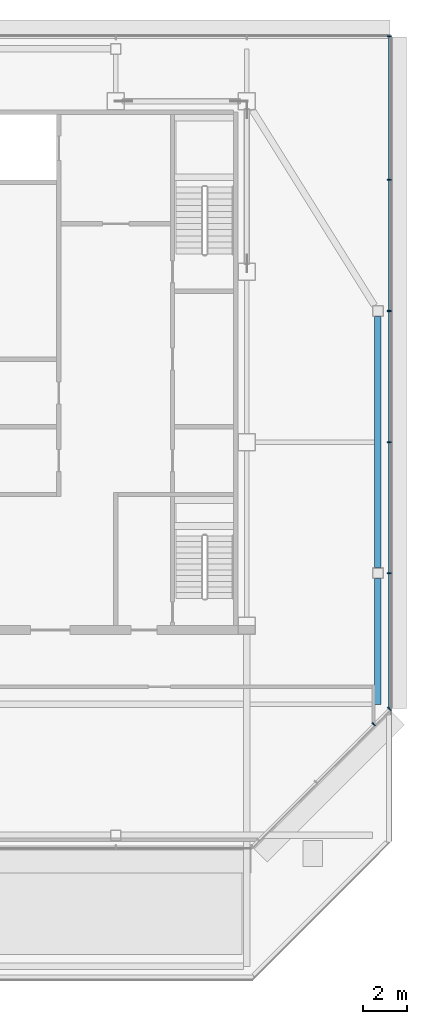
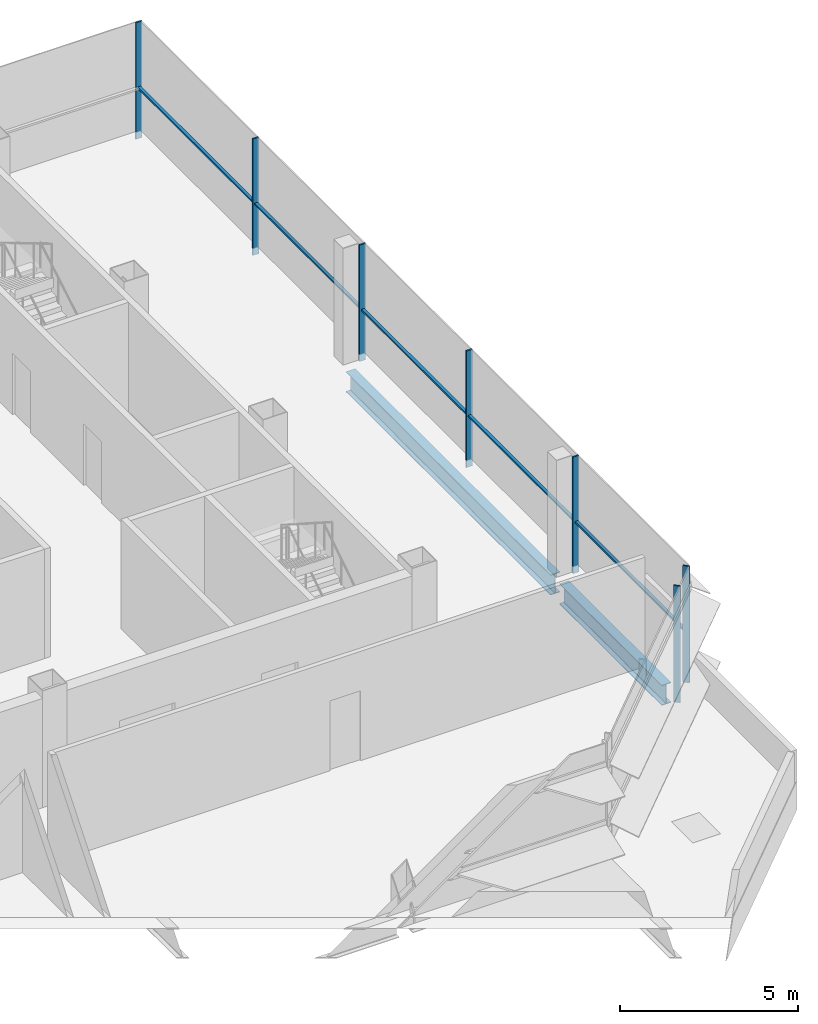
# One storey, part 14 of 26: 8 members, 2 beams, 2 elements without a shape of their own.
"""IFC4 building model written with IfcOpenShell, lengths in metres."""

from ifc_helpers import new_model, si_unit, direction, frame, origin, origin_2d, place, context, subcontext, project, spatial, rectangle, i_section, extrude, material, material_profile, profile_set, type_object, element, aggregate, save


model = new_model("IFC4")

# Units and contexts
model_context = context("Model", 3, precision=1e-05, world=origin(), true_north=direction((0.0, 1.0)))
body_context = subcontext(model_context, "Body", "Model", "MODEL_VIEW")
ifc_project = project(units=[si_unit("LENGTHUNIT", "METRE"), si_unit("AREAUNIT", "SQUARE_METRE"), si_unit("VOLUMEUNIT", "CUBIC_METRE"), si_unit("PLANEANGLEUNIT", "RADIAN"), si_unit("MASSUNIT", "GRAM", prefix="KILO")], contexts=[model_context])

# Site, building, storey
site_placement = place(None, origin())
site = spatial("IfcSite", under=ifc_project, at=site_placement, CompositionType="ELEMENT")
building_placement = place(site_placement, origin())
building = spatial("IfcBuilding", under=site, at=building_placement, Name="Sorahane Residences", CompositionType="ELEMENT")
storey_placement = place(building_placement, frame((0.0, 0.0, 337.800048828125)))
storey = spatial("IfcBuildingStorey", under=building, at=storey_placement, Name="L80", CompositionType="ELEMENT", Elevation=337.800048828125)

# Curtain wall, members
ifc_material_1 = material(Name="Dark low-e glass and black anodised aluminium", Category="aluminium")
curtain_wall_type = type_object("IfcCurtainWallType", Name="Curtain wall CW-6 Crown unitised wall", PredefinedType="NOTDEFINED", material=ifc_material_1)
curtain_wall_1_placement = place(storey_placement, origin())
curtain_wall_1 = element("IfcCurtainWall", 1, at=curtain_wall_1_placement, inside=storey, type_object=curtain_wall_type, Name="CW-6 curtain wall L80 SE1", PredefinedType="NOTDEFINED")
ifc_material_2 = material(Name="Black anodised aluminium", Category="aluminium")
ifc_material_profile_1 = material_profile(ifc_material_2, rectangle(XDim=0.199951171875, YDim=0.050048828125, at=origin_2d()), Name="Curtain wall mullion CW-6 black anodised aluminium 50x200")
ifc_profile_set_1 = profile_set([ifc_material_profile_1], Name="Black anodised aluminium")
member_type_1 = type_object("IfcMemberType", Name="Curtain wall mullion CW-6 black anodised aluminium 50x200", PredefinedType="MULLION", material=ifc_profile_set_1)
member_1_placement = place(storey_placement, frame((47.814208984375, 17.078857421875, -0.25), z_axis=(0.0, 0.0, 1.0), x_axis=(0.707106781187, -0.707106781187, 0.0)))
member_1 = element("IfcMember", 2, at=member_1_placement, type_object=member_type_1, Name="CW-6 mullion L80 SE1.4", PredefinedType="MULLION", context=body_context, shape_type="SweptSolid", body=[
    extrude(rectangle(XDim=0.199951171875, YDim=0.050048828125, at=origin_2d()), origin(), (0.0, 0.0, 1.0), 4.0),
])
member_2_placement = place(storey_placement, frame((48.525634765625, 17.790283203125, -0.25), z_axis=(0.0, 0.0, 1.0), x_axis=(0.707106781187, -0.707106781187, 0.0)))
member_2 = element("IfcMember", 3, at=member_2_placement, type_object=member_type_1, Name="CW-6 mullion L80 SE1.5", PredefinedType="MULLION", context=body_context, shape_type="SweptSolid", body=[
    extrude(rectangle(XDim=0.199951171875, YDim=0.050048828125, at=origin_2d()), origin(), (0.0, 0.0, 1.0), 4.0),
])
aggregate(curtain_wall_1, [member_1, member_2])

curtain_wall_2_placement = place(storey_placement, origin())
curtain_wall_2 = element("IfcCurtainWall", 4, at=curtain_wall_2_placement, inside=storey, type_object=curtain_wall_type, Name="CW-6 curtain wall L80 E1", PredefinedType="NOTDEFINED")
member_3_placement = place(storey_placement, frame((48.52001953125, 24.0, -0.25), z_axis=(0.0, 0.0, 1.0), x_axis=(1.0, 0.0, 0.0)))
member_3 = element("IfcMember", 5, at=member_3_placement, type_object=member_type_1, Name="CW-6 mullion L80 E1.2", PredefinedType="MULLION", context=body_context, shape_type="SweptSolid", body=[
    extrude(rectangle(XDim=0.199951171875, YDim=0.050048828125, at=origin_2d()), origin(), (0.0, 0.0, 1.0), 4.0),
])
member_4_placement = place(storey_placement, frame((48.52001953125, 30.0, -0.25), z_axis=(0.0, 0.0, 1.0), x_axis=(1.0, 0.0, 0.0)))
member_4 = element("IfcMember", 6, at=member_4_placement, type_object=member_type_1, Name="CW-6 mullion L80 E1.3", PredefinedType="MULLION", context=body_context, shape_type="SweptSolid", body=[
    extrude(rectangle(XDim=0.199951171875, YDim=0.050048828125, at=origin_2d()), origin(), (0.0, 0.0, 1.0), 4.0),
])
member_5_placement = place(storey_placement, frame((48.52001953125, 36.0, -0.25), z_axis=(0.0, 0.0, 1.0), x_axis=(1.0, 0.0, 0.0)))
member_5 = element("IfcMember", 7, at=member_5_placement, type_object=member_type_1, Name="CW-6 mullion L80 E1.4", PredefinedType="MULLION", context=body_context, shape_type="SweptSolid", body=[
    extrude(rectangle(XDim=0.199951171875, YDim=0.050048828125, at=origin_2d()), origin(), (0.0, 0.0, 1.0), 4.0),
])
member_6_placement = place(storey_placement, frame((48.52001953125, 42.0, -0.25), z_axis=(0.0, 0.0, 1.0), x_axis=(1.0, 0.0, 0.0)))
member_6 = element("IfcMember", 8, at=member_6_placement, type_object=member_type_1, Name="CW-6 mullion L80 E1.5", PredefinedType="MULLION", context=body_context, shape_type="SweptSolid", body=[
    extrude(rectangle(XDim=0.199951171875, YDim=0.050048828125, at=origin_2d()), origin(), (0.0, 0.0, 1.0), 4.0),
])
member_7_placement = place(storey_placement, frame((48.52001953125, 48.574951171875, -0.25), z_axis=(0.0, 0.0, 1.0), x_axis=(1.0, 0.0, 0.0)))
member_7 = element("IfcMember", 9, at=member_7_placement, type_object=member_type_1, Name="CW-6 mullion L80 E1.6", PredefinedType="MULLION", context=body_context, shape_type="SweptSolid", body=[
    extrude(rectangle(XDim=0.199951171875, YDim=0.050048828125, at=origin_2d()), origin(), (0.0, 0.0, 1.0), 4.0),
])
ifc_material_3 = material(Name="Black anodised aluminium", Category="aluminium")
ifc_material_profile_2 = material_profile(ifc_material_3, rectangle(XDim=0.10009765625, YDim=0.06005859375, at=origin_2d()), Name="Curtain wall transom CW-6 black anodised aluminium 60x100")
ifc_profile_set_2 = profile_set([ifc_material_profile_2], Name="Black anodised aluminium")
member_type_2 = type_object("IfcMemberType", Name="Curtain wall transom CW-6 black anodised aluminium 60x100", PredefinedType="USERDEFINED", material=ifc_profile_set_2)
member_8_placement = place(storey_placement, frame((48.530029296875, 17.801513671875, 1.5), z_axis=(0.0, 1.0, 0.0), x_axis=(-1.0, 0.0, 0.0)))
member_8 = element("IfcMember", 10, at=member_8_placement, type_object=member_type_2, Name="CW-6 transom L80 E1", ObjectType="TRANSOM", PredefinedType="USERDEFINED", context=body_context, shape_type="SweptSolid", body=[
    extrude(rectangle(XDim=0.10009765625, YDim=0.06005859375, at=origin_2d()), origin(), (0.0, 0.0, 1.0), 30.74853515625),
])
aggregate(curtain_wall_2, [member_3, member_4, member_5, member_6, member_7, member_8])

# Beams
ifc_material_4 = material(Name="Steel Q355B", Category="steel")
ifc_material_profile_3 = material_profile(ifc_material_4, i_section(OverallWidth=0.300048828125, OverallDepth=0.699951171875, WebThickness=0.012939453125, FlangeThickness=0.02392578125, FilletRadius=0.028076171875, at=origin_2d()), Name="HN 700x300x13x24")
ifc_profile_set_3 = profile_set([ifc_material_profile_3], Name="Steel Q355B")
beam_type = type_object("IfcBeamType", Name="Steel floor beam HN 700x300x13x24 Q355B", PredefinedType="BEAM", material=ifc_profile_set_3)
beam_1_placement = place(storey_placement, frame((48.0, 24.25, -0.60009765625), z_axis=(0.0, 1.0, 0.0), x_axis=(-1.0, 0.0, 0.0)))
element("IfcBeam", 11, at=beam_1_placement, inside=storey, type_object=beam_type, Name="Beam L80 049", PredefinedType="BEAM", context=body_context, shape_type="SweptSolid", body=[
    extrude(i_section(OverallWidth=0.300048828125, OverallDepth=0.699951171875, WebThickness=0.012939453125, FlangeThickness=0.02392578125, FilletRadius=0.028076171875, at=origin_2d()), origin(), (0.0, 0.0, 1.0), 11.5),
])
beam_2_placement = place(storey_placement, frame((48.0, 18.0, -0.60009765625), z_axis=(0.0, 1.0, 0.0), x_axis=(-1.0, 0.0, 0.0)))
element("IfcBeam", 12, at=beam_2_placement, inside=storey, type_object=beam_type, Name="Beam L80 050", PredefinedType="BEAM", context=body_context, shape_type="SweptSolid", body=[
    extrude(i_section(OverallWidth=0.300048828125, OverallDepth=0.699951171875, WebThickness=0.012939453125, FlangeThickness=0.02392578125, FilletRadius=0.028076171875, at=origin_2d()), origin(), (0.0, 0.0, 1.0), 5.75),
])

save(model, "model.ifc")
